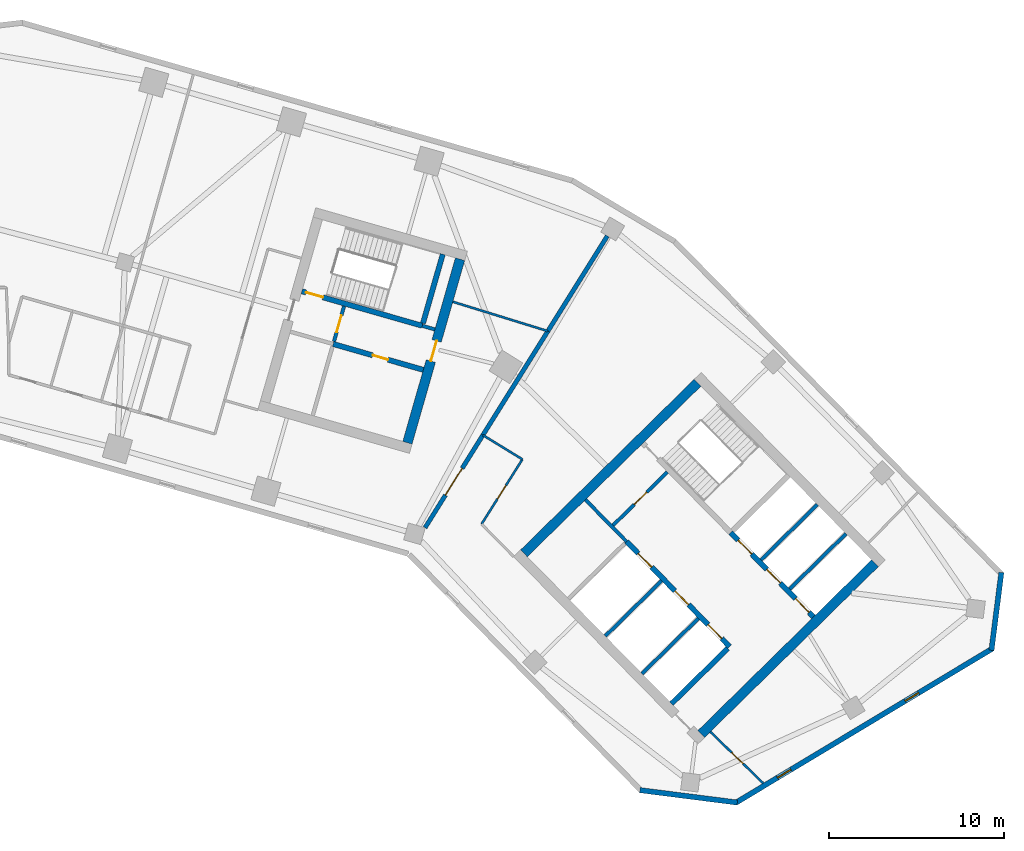
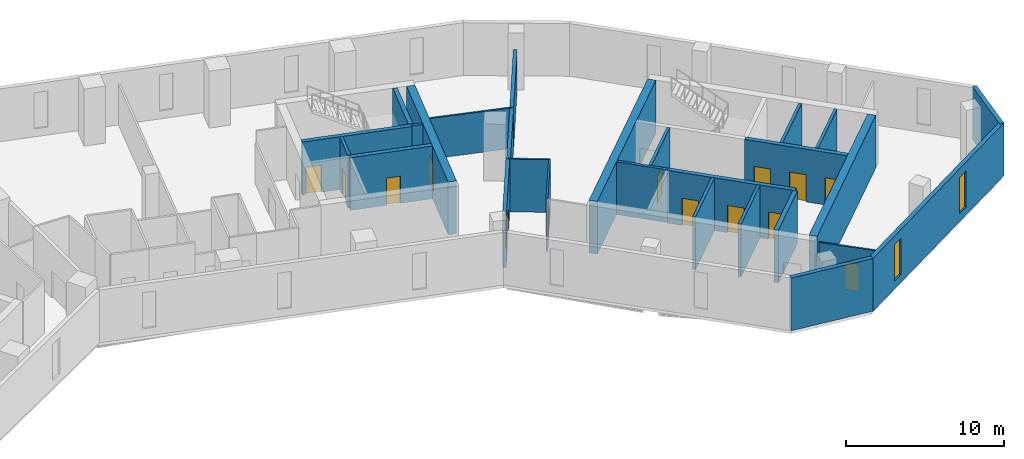
# One storey, part 6 of 10: 27 walls, 14 doors, 2 windows, 16 openings.
"""IFC4 building model written with IfcOpenShell, lengths in metres."""

from ifc_helpers import new_model, si_unit, direction, frame, frame_2d, origin, place, context, subcontext, project, spatial, rectangle, extrude, material, layer, layer_set, type_object, element, fill, save


model = new_model("IFC4")

# Units and contexts
model_context = context("Model", 3, precision=1e-05, world=origin(), true_north=direction((0.0, 1.0)))
body_context = subcontext(model_context, "Body", "Model", "MODEL_VIEW")
ifc_project = project(units=[si_unit("LENGTHUNIT", "METRE"), si_unit("AREAUNIT", "SQUARE_METRE"), si_unit("VOLUMEUNIT", "CUBIC_METRE"), si_unit("PLANEANGLEUNIT", "RADIAN"), si_unit("MASSUNIT", "GRAM", prefix="KILO")], contexts=[model_context])

# Site, building, storey
site_placement = place(None, origin())
site = spatial("IfcSite", under=ifc_project, at=site_placement, CompositionType="ELEMENT")
building_placement = place(site_placement, origin())
building = spatial("IfcBuilding", under=site, at=building_placement, Name="Binnacle Exchange Tower", CompositionType="ELEMENT")
storey_placement = place(building_placement, frame((0.0, 0.0, 136.699951171875)))
storey = spatial("IfcBuildingStorey", under=building, at=storey_placement, Name="L28", CompositionType="ELEMENT", Elevation=136.699951171875)

# Wall, openings, doors
ifc_material_1 = material(Name="Concrete C70/85", Category="concrete")
ifc_layer_1 = layer(ifc_material_1, 0.300048828125)
ifc_layer_set_1 = layer_set([ifc_layer_1], Name="Core wall - front 300")
wall_type_1 = type_object("IfcWallType", Name="Core wall - front 300", PredefinedType="SOLIDWALL", material=ifc_layer_set_1)
wall_1_placement = place(storey_placement, frame((37.8740234375, 41.41552734375, 0.0), z_axis=(0.0, 0.0, 1.0), x_axis=(0.700918271237, -0.71324159795, 0.0)))
wall_1 = element("IfcWall", 1, at=wall_1_placement, inside=storey, type_object=wall_type_1, Name="Core wall CRWB3", PredefinedType="SOLIDWALL", context=body_context, shape_type="SweptSolid", body=[
    extrude(rectangle(XDim=8.39990234375, YDim=0.300048828125, at=frame_2d((4.199951171875, 0.0))), origin(), (0.0, 0.0, 1.0), 4.080078125),
])
opening_1_placement = place(wall_1_placement, frame((0.949951171875, 0.0, 0.0)))
opening_1 = element("IfcOpeningElement", 2, at=opening_1_placement, cuts=wall_1, Name="Opening LD15", PredefinedType="OPENING", context=body_context, shape_type="SweptSolid", body=[
    extrude(rectangle(XDim=1.10009765625, YDim=2.10009765625, at=frame_2d((0.550048828125, 1.050048828125))), frame((0.0, 0.159912109375, 0.0), z_axis=(0.0, -1.0, 0.0), x_axis=(1.0, 0.0, 0.0)), (0.0, 0.0, 1.0), 0.320068359375),
])
opening_2_placement = place(wall_1_placement, frame((3.949951171875, 0.0, 0.0)))
opening_2 = element("IfcOpeningElement", 3, at=opening_2_placement, cuts=wall_1, Name="Opening LD16", PredefinedType="OPENING", context=body_context, shape_type="SweptSolid", body=[
    extrude(rectangle(XDim=1.10009765625, YDim=2.10009765625, at=frame_2d((0.550048828125, 1.050048828125))), frame((0.0, 0.159912109375, 0.0), z_axis=(0.0, -1.0, 0.0), x_axis=(1.0, 0.0, 0.0)), (0.0, 0.0, 1.0), 0.320068359375),
])
opening_3_placement = place(wall_1_placement, frame((6.64990234375, 0.0, 0.0)))
opening_3 = element("IfcOpeningElement", 4, at=opening_3_placement, cuts=wall_1, Name="Opening LD4", PredefinedType="OPENING", context=body_context, shape_type="SweptSolid", body=[
    extrude(rectangle(XDim=1.10009765625, YDim=2.10009765625, at=frame_2d((0.550048828125, 1.050048828125))), frame((0.0, 0.159912109375, 0.0), z_axis=(0.0, -1.0, 0.0), x_axis=(1.0, 0.0, 0.0)), (0.0, 0.0, 1.0), 0.320068359375),
])
ifc_material_2 = material(Name="Steel door leaf", Category="steel")
door_type_1 = type_object("IfcDoorType", Name="Fire door - lift landing 1100", OperationType="NOTDEFINED", PredefinedType="DOOR", material=ifc_material_2)
door_1_placement = place(opening_1_placement, origin())
door_1 = element("IfcDoor", 5, at=door_1_placement, inside=storey, type_object=door_type_1, Name="Landing door LD15 L28", OperationType="DOUBLE_DOOR_SLIDING", OverallHeight=2.10009765625, OverallWidth=1.10009765625, PredefinedType="DOOR", context=body_context, shape_type="SweptSolid", body=[
    extrude(rectangle(XDim=1.10009765625, YDim=2.10009765625, at=frame_2d((0.550048828125, 1.050048828125))), frame((0.0, 0.02490234375, 0.0), z_axis=(0.0, -1.0, 0.0), x_axis=(1.0, 0.0, 0.0)), (0.0, 0.0, 1.0), 0.050048828125),
])
fill(opening_1, door_1)
door_2_placement = place(opening_2_placement, origin())
door_2 = element("IfcDoor", 6, at=door_2_placement, inside=storey, type_object=door_type_1, Name="Landing door LD16 L28", OperationType="DOUBLE_DOOR_SLIDING", OverallHeight=2.10009765625, OverallWidth=1.10009765625, PredefinedType="DOOR", context=body_context, shape_type="SweptSolid", body=[
    extrude(rectangle(XDim=1.10009765625, YDim=2.10009765625, at=frame_2d((0.550048828125, 1.050048828125))), frame((0.0, 0.02490234375, 0.0), z_axis=(0.0, -1.0, 0.0), x_axis=(1.0, 0.0, 0.0)), (0.0, 0.0, 1.0), 0.050048828125),
])
fill(opening_2, door_2)
door_3_placement = place(opening_3_placement, origin())
door_3 = element("IfcDoor", 7, at=door_3_placement, inside=storey, type_object=door_type_1, Name="Landing door LD4 L28", OperationType="DOUBLE_DOOR_SLIDING", OverallHeight=2.10009765625, OverallWidth=1.10009765625, PredefinedType="DOOR", context=body_context, shape_type="SweptSolid", body=[
    extrude(rectangle(XDim=1.10009765625, YDim=2.10009765625, at=frame_2d((0.550048828125, 1.050048828125))), frame((0.0, 0.02490234375, 0.0), z_axis=(0.0, -1.0, 0.0), x_axis=(1.0, 0.0, 0.0)), (0.0, 0.0, 1.0), 0.050048828125),
])
fill(opening_3, door_3)

wall_2_placement = place(storey_placement, frame((43.818603515625, 41.92919921875, 0.0), z_axis=(0.0, 0.0, 1.0), x_axis=(0.700931209592, -0.713228882912, 0.0)))
wall_2 = element("IfcWall", 8, at=wall_2_placement, inside=storey, type_object=wall_type_1, Name="Core wall CRWB5", PredefinedType="SOLIDWALL", context=body_context, shape_type="SweptSolid", body=[
    extrude(rectangle(XDim=6.75, YDim=0.300048828125, at=frame_2d((3.375, 0.0))), origin(), (0.0, 0.0, 1.0), 4.080078125),
])
opening_4_placement = place(wall_2_placement, frame((0.614990234375, 0.0, 0.0)))
opening_4 = element("IfcOpeningElement", 9, at=opening_4_placement, cuts=wall_2, Name="Opening LD1", PredefinedType="OPENING", context=body_context, shape_type="SweptSolid", body=[
    extrude(rectangle(XDim=1.10009765625, YDim=2.10009765625, at=frame_2d((0.550048828125, 1.050048828125))), frame((0.0, 0.159912109375, 0.0), z_axis=(0.0, -1.0, 0.0), x_axis=(1.0, 0.0, 0.0)), (0.0, 0.0, 1.0), 0.320068359375),
])
opening_5_placement = place(wall_2_placement, frame((2.945068359375, 0.0, 0.0)))
opening_5 = element("IfcOpeningElement", 10, at=opening_5_placement, cuts=wall_2, Name="Opening LD2", PredefinedType="OPENING", context=body_context, shape_type="SweptSolid", body=[
    extrude(rectangle(XDim=1.10009765625, YDim=2.10009765625, at=frame_2d((0.550048828125, 1.050048828125))), frame((0.0, 0.159912109375, 0.0), z_axis=(0.0, -1.0, 0.0), x_axis=(1.0, 0.0, 0.0)), (0.0, 0.0, 1.0), 0.320068359375),
])
opening_6_placement = place(wall_2_placement, frame((5.280029296875, 0.0, 0.0)))
opening_6 = element("IfcOpeningElement", 11, at=opening_6_placement, cuts=wall_2, Name="Opening LD3", PredefinedType="OPENING", context=body_context, shape_type="SweptSolid", body=[
    extrude(rectangle(XDim=1.10009765625, YDim=2.10009765625, at=frame_2d((0.550048828125, 1.050048828125))), frame((0.0, 0.159912109375, 0.0), z_axis=(0.0, -1.0, 0.0), x_axis=(1.0, 0.0, 0.0)), (0.0, 0.0, 1.0), 0.320068359375),
])
door_4_placement = place(opening_4_placement, origin())
door_4 = element("IfcDoor", 12, at=door_4_placement, inside=storey, type_object=door_type_1, Name="Landing door LD1 L28", OperationType="DOUBLE_DOOR_SLIDING", OverallHeight=2.10009765625, OverallWidth=1.10009765625, PredefinedType="DOOR", context=body_context, shape_type="SweptSolid", body=[
    extrude(rectangle(XDim=1.10009765625, YDim=2.10009765625, at=frame_2d((0.550048828125, 1.050048828125))), frame((0.0, 0.02490234375, 0.0), z_axis=(0.0, -1.0, 0.0), x_axis=(1.0, 0.0, 0.0)), (0.0, 0.0, 1.0), 0.050048828125),
])
fill(opening_4, door_4)
door_5_placement = place(opening_5_placement, origin())
door_5 = element("IfcDoor", 13, at=door_5_placement, inside=storey, type_object=door_type_1, Name="Landing door LD2 L28", OperationType="DOUBLE_DOOR_SLIDING", OverallHeight=2.10009765625, OverallWidth=1.10009765625, PredefinedType="DOOR", context=body_context, shape_type="SweptSolid", body=[
    extrude(rectangle(XDim=1.10009765625, YDim=2.10009765625, at=frame_2d((0.550048828125, 1.050048828125))), frame((0.0, 0.02490234375, 0.0), z_axis=(0.0, -1.0, 0.0), x_axis=(1.0, 0.0, 0.0)), (0.0, 0.0, 1.0), 0.050048828125),
])
fill(opening_5, door_5)
door_6_placement = place(opening_6_placement, origin())
door_6 = element("IfcDoor", 14, at=door_6_placement, inside=storey, type_object=door_type_1, Name="Landing door LD3 L28", OperationType="DOUBLE_DOOR_SLIDING", OverallHeight=2.10009765625, OverallWidth=1.10009765625, PredefinedType="DOOR", context=body_context, shape_type="SweptSolid", body=[
    extrude(rectangle(XDim=1.10009765625, YDim=2.10009765625, at=frame_2d((0.550048828125, 1.050048828125))), frame((0.0, 0.02490234375, 0.0), z_axis=(0.0, -1.0, 0.0), x_axis=(1.0, 0.0, 0.0)), (0.0, 0.0, 1.0), 0.050048828125),
])
fill(opening_6, door_6)

# Wall
wall_3_placement = place(storey_placement, frame((40.445068359375, 32.1650390625, 0.0), z_axis=(0.0, 0.0, 1.0), x_axis=(0.713264577552, 0.700894886848, 0.0)))
element("IfcWall", 15, at=wall_3_placement, inside=storey, type_object=wall_type_1, Name="Core wall CRWB14", PredefinedType="SOLIDWALL", context=body_context, shape_type="SweptSolid", body=[
    extrude(rectangle(XDim=4.5, YDim=0.300048828125, at=frame_2d((2.25, 0.0))), origin(), (0.0, 0.0, 1.0), 4.080078125),
])

# Wall, opening, door
wall_4_placement = place(storey_placement, frame((21.130859375, 52.6923828125, 0.0), z_axis=(0.0, 0.0, 1.0), x_axis=(0.961265220997, -0.27562506218, 0.0)))
wall_4 = element("IfcWall", 16, at=wall_4_placement, inside=storey, type_object=wall_type_1, Name="Core wall CRWD3", PredefinedType="SOLIDWALL", context=body_context, shape_type="SweptSolid", body=[
    extrude(rectangle(XDim=5.35009765625, YDim=0.300048828125, at=frame_2d((2.675048828125, 0.0))), origin(), (0.0, 0.0, 1.0), 4.080078125),
])
opening_7_placement = place(wall_4_placement, frame((2.35009765625, 0.0, 0.0)))
opening_7 = element("IfcOpeningElement", 17, at=opening_7_placement, cuts=wall_4, Name="Opening DD10", PredefinedType="OPENING", context=body_context, shape_type="SweptSolid", body=[
    extrude(rectangle(XDim=0.89990234375, YDim=2.10009765625, at=frame_2d((0.449951171875, 1.050048828125))), frame((0.0, 0.159912109375, 0.0), z_axis=(0.0, -1.0, 0.0), x_axis=(1.0, 0.0, 0.0)), (0.0, 0.0, 1.0), 0.320068359375),
])
door_type_2 = type_object("IfcDoorType", Name="Fire door 900", OperationType="NOTDEFINED", PredefinedType="DOOR", material=ifc_material_2)
door_7_placement = place(opening_7_placement, frame((0.89990234375, 0.0, 0.0), z_axis=(0.0, 0.0, 1.0), x_axis=(-1.0, 0.0, 0.0)))
door_7 = element("IfcDoor", 18, at=door_7_placement, inside=storey, type_object=door_type_2, Name="Core room door TELECOM RISER ROOM", OperationType="SINGLE_SWING_LEFT", OverallHeight=2.10009765625, OverallWidth=0.89990234375, PredefinedType="DOOR", context=body_context, shape_type="SweptSolid", body=[
    extrude(rectangle(XDim=0.89990234375, YDim=2.10009765625, at=frame_2d((0.449951171875, 1.050048828125))), frame((0.0, 0.02490234375, 0.0), z_axis=(0.0, -1.0, 0.0), x_axis=(1.0, 0.0, 0.0)), (0.0, 0.0, 1.0), 0.050048828125),
])
fill(opening_7, door_7)

# Walls
ifc_layer_2 = layer(ifc_material_1, 0.550048828125)
ifc_layer_set_2 = layer_set([ifc_layer_2], Name="Core wall - outer 550")
wall_type_2 = type_object("IfcWallType", Name="Core wall - outer 550", PredefinedType="SOLIDWALL", material=ifc_layer_set_2)
for number, where, z_axis, x_axis, name in (
    (19, (32.0166015625, 40.74169921875, 0.0), (0.0, 0.0, 1.0), (0.713253550094, 0.700906108746, 0.0), "Core wall CRWB7"),
    (20, (42.144775390625, 30.435302734375, 0.0), (0.0, 0.0, 1.0), (0.713253550094, 0.700906108746, 0.0), "Core wall CRWB16"),
):
    element("IfcWall", number, at=place(storey_placement, frame(where, z_axis=z_axis, x_axis=x_axis)), inside=storey, type_object=wall_type_2, Name=name, PredefinedType="SOLIDWALL", context=body_context, shape_type="SweptSolid", body=[
        extrude(rectangle(XDim=13.900146484375, YDim=0.550048828125, at=frame_2d((6.9501953125, 0.0))), origin(), (0.0, 0.0, 1.0), 4.080078125),
    ])

# Wall, opening, door
wall_5_placement = place(storey_placement, frame((25.366455078125, 47.056640625, 0.0), z_axis=(0.0, 0.0, 1.0), x_axis=(0.275632146085, 0.96126318979, 0.0)))
wall_5 = element("IfcWall", 21, at=wall_5_placement, inside=storey, type_object=wall_type_2, Name="Core wall CRWD12", PredefinedType="SOLIDWALL", context=body_context, shape_type="SweptSolid", body=[
    extrude(rectangle(XDim=10.89990234375, YDim=0.550048828125, at=frame_2d((5.449951171875, 0.0))), origin(), (0.0, 0.0, 1.0), 4.080078125),
])
opening_8_placement = place(wall_5_placement, frame((4.849853515625, 0.0, 0.0)))
opening_8 = element("IfcOpeningElement", 22, at=opening_8_placement, cuts=wall_5, Name="Opening DD6", PredefinedType="OPENING", context=body_context, shape_type="SweptSolid", body=[
    extrude(rectangle(XDim=1.199951171875, YDim=2.10009765625, at=frame_2d((0.60009765625, 1.050048828125))), frame((0.0, 0.284912109375, 0.0), z_axis=(0.0, -1.0, 0.0), x_axis=(1.0, 0.0, 0.0)), (0.0, 0.0, 1.0), 0.570068359375),
])
door_type_3 = type_object("IfcDoorType", Name="Fire door 1200", OperationType="NOTDEFINED", PredefinedType="DOOR", material=ifc_material_2)
door_8_placement = place(opening_8_placement, frame((1.199951171875, 0.0, 0.0), z_axis=(0.0, 0.0, 1.0), x_axis=(-1.0, 0.0, 0.0)))
door_8 = element("IfcDoor", 23, at=door_8_placement, inside=storey, type_object=door_type_3, Name="Core passage exit door", OperationType="SINGLE_SWING_RIGHT", OverallHeight=2.10009765625, OverallWidth=1.199951171875, PredefinedType="DOOR", context=body_context, shape_type="SweptSolid", body=[
    extrude(rectangle(XDim=1.199951171875, YDim=2.10009765625, at=frame_2d((0.60009765625, 1.050048828125))), frame((0.0, 0.02490234375, 0.0), z_axis=(0.0, -1.0, 0.0), x_axis=(1.0, 0.0, 0.0)), (0.0, 0.0, 1.0), 0.050048828125),
])
fill(opening_8, door_8)

ifc_layer_3 = layer(ifc_material_1, 0.300048828125)
ifc_layer_set_3 = layer_set([ifc_layer_3], Name="Core wall - stair 300")
wall_type_3 = type_object("IfcWallType", Name="Core wall - stair 300", PredefinedType="SOLIDWALL", material=ifc_layer_set_3)
wall_6_placement = place(storey_placement, frame((19.34130859375, 55.702392578125, 0.0), z_axis=(0.0, 0.0, 1.0), x_axis=(0.961263228157, -0.27563201228, 0.0)))
wall_6 = element("IfcWall", 24, at=wall_6_placement, inside=storey, type_object=wall_type_3, Name="Core wall CRWD4", PredefinedType="SOLIDWALL", context=body_context, shape_type="SweptSolid", body=[
    extrude(rectangle(XDim=7.149658203125, YDim=0.300048828125, at=frame_2d((3.57470703125, 0.0))), origin(), (0.0, 0.0, 1.0), 4.080078125),
])
opening_9_placement = place(wall_6_placement, frame((0.25, 0.0, 0.0)))
opening_9 = element("IfcOpeningElement", 25, at=opening_9_placement, cuts=wall_6, Name="Opening DD1", PredefinedType="OPENING", context=body_context, shape_type="SweptSolid", body=[
    extrude(rectangle(XDim=1.0, YDim=2.10009765625, at=frame_2d((0.5, 1.050048828125))), frame((0.0, 0.159912109375, 0.0), z_axis=(0.0, -1.0, 0.0), x_axis=(1.0, 0.0, 0.0)), (0.0, 0.0, 1.0), 0.320068359375),
])
door_type_4 = type_object("IfcDoorType", Name="Fire door 1000", OperationType="NOTDEFINED", PredefinedType="DOOR", material=ifc_material_2)
door_9_placement = place(opening_9_placement, origin())
door_9 = element("IfcDoor", 26, at=door_9_placement, inside=storey, type_object=door_type_4, Name="Stair door ST-D1", OperationType="SINGLE_SWING_LEFT", OverallHeight=2.10009765625, OverallWidth=1.0, PredefinedType="DOOR", context=body_context, shape_type="SweptSolid", body=[
    extrude(rectangle(XDim=1.0, YDim=2.10009765625, at=frame_2d((0.5, 1.050048828125))), frame((0.0, 0.02490234375, 0.0), z_axis=(0.0, -1.0, 0.0), x_axis=(1.0, 0.0, 0.0)), (0.0, 0.0, 1.0), 0.050048828125),
])
fill(opening_9, door_9)

# Walls
wall_7_placement = place(storey_placement, frame((26.255615234375, 53.875732421875, 0.0), z_axis=(0.0, 0.0, 1.0), x_axis=(0.275641165445, 0.961260603537, 0.0)))
element("IfcWall", 27, at=wall_7_placement, inside=storey, type_object=wall_type_3, Name="Core wall CRWD11", PredefinedType="SOLIDWALL", context=body_context, shape_type="SweptSolid", body=[
    extrude(rectangle(XDim=4.10009765625, YDim=0.300048828125, at=frame_2d((2.050048828125, 0.0))), origin(), (0.0, 0.0, 1.0), 4.080078125),
])
ifc_material_3 = material(Name="Bronze aluminium cladding", Category="aluminium")
ifc_layer_4 = layer(ifc_material_3, 0.300048828125)
ifc_layer_set_4 = layer_set([ifc_layer_4], Name="External wall - spandrel 300")
wall_type_4 = type_object("IfcWallType", Name="External wall - spandrel 300", PredefinedType="STANDARD", material=ifc_layer_set_4)
wall_8_placement = place(storey_placement, frame((44.19580078125, 26.517822265625, 0.0), z_axis=(0.0, 0.0, 1.0), x_axis=(-0.992001881269, 0.126223086474, 0.0)))
element("IfcWall", 28, at=wall_8_placement, inside=storey, type_object=wall_type_4, Name="External wall EW-F10 L28", PredefinedType="STANDARD", context=body_context, shape_type="SweptSolid", body=[
    extrude(rectangle(XDim=5.6015625, YDim=0.300048828125, at=frame_2d((2.80078125, 0.0))), origin(), (0.0, 0.0, 1.0), 4.080078125),
])

# Wall, openings, windows
wall_9_placement = place(storey_placement, frame((58.7783203125, 35.317626953125, 0.0), z_axis=(0.0, 0.0, 1.0), x_axis=(-0.857168206138, -0.515036568009, 0.0)))
wall_9 = element("IfcWall", 29, at=wall_9_placement, inside=storey, type_object=wall_type_4, Name="External wall EW-F11 L28", PredefinedType="STANDARD", context=body_context, shape_type="SweptSolid", body=[
    extrude(rectangle(XDim=17.124755859375, YDim=0.300048828125, at=frame_2d((8.5625, 0.0))), origin(), (0.0, 0.0, 1.0), 4.080078125),
])
opening_10_placement = place(wall_9_placement, frame((13.435302734375, 0.0, 0.60009765625)))
opening_10 = element("IfcOpeningElement", 30, at=opening_10_placement, cuts=wall_9, Name="Opening WS2", PredefinedType="OPENING", context=body_context, shape_type="SweptSolid", body=[
    extrude(rectangle(XDim=0.89990234375, YDim=2.800048828125, at=frame_2d((0.449951171875, 1.39990234375))), frame((0.0, 0.159912109375, 0.0), z_axis=(0.0, -1.0, 0.0), x_axis=(1.0, 0.0, 0.0)), (0.0, 0.0, 1.0), 0.320068359375),
])
opening_11_placement = place(wall_9_placement, frame((4.935302734375, 0.0, 0.60009765625)))
opening_11 = element("IfcOpeningElement", 31, at=opening_11_placement, cuts=wall_9, Name="Opening WS2", PredefinedType="OPENING", context=body_context, shape_type="SweptSolid", body=[
    extrude(rectangle(XDim=0.89990234375, YDim=2.800048828125, at=frame_2d((0.449951171875, 1.39990234375))), frame((0.0, 0.159912109375, 0.0), z_axis=(0.0, -1.0, 0.0), x_axis=(1.0, 0.0, 0.0)), (0.0, 0.0, 1.0), 0.320068359375),
])
ifc_material_4 = material(Name="Bronze anodised aluminium frame", Category="aluminium")
window_type = type_object("IfcWindowType", Name="WS2 WINDOW 900x2800", PartitioningType="SINGLE_PANEL", PredefinedType="WINDOW", material=ifc_material_4)
window_1_placement = place(opening_10_placement, origin())
window_1 = element("IfcWindow", 32, at=window_1_placement, inside=storey, type_object=window_type, Name="Window WS2 L28", OverallHeight=2.800048828125, OverallWidth=0.89990234375, PartitioningType="SINGLE_PANEL", PredefinedType="WINDOW", context=body_context, shape_type="SweptSolid", body=[
    extrude(rectangle(XDim=0.89990234375, YDim=2.800048828125, at=frame_2d((0.449951171875, 1.39990234375))), frame((0.0, 0.030029296875, 0.0), z_axis=(0.0, -1.0, 0.0), x_axis=(1.0, 0.0, 0.0)), (0.0, 0.0, 1.0), 0.06005859375),
])
fill(opening_10, window_1)
window_2_placement = place(opening_11_placement, origin())
window_2 = element("IfcWindow", 33, at=window_2_placement, inside=storey, type_object=window_type, Name="Window WS2 L28", OverallHeight=2.800048828125, OverallWidth=0.89990234375, PartitioningType="SINGLE_PANEL", PredefinedType="WINDOW", context=body_context, shape_type="SweptSolid", body=[
    extrude(rectangle(XDim=0.89990234375, YDim=2.800048828125, at=frame_2d((0.449951171875, 1.39990234375))), frame((0.0, 0.030029296875, 0.0), z_axis=(0.0, -1.0, 0.0), x_axis=(1.0, 0.0, 0.0)), (0.0, 0.0, 1.0), 0.06005859375),
])
fill(opening_11, window_2)

# Wall
wall_10_placement = place(storey_placement, frame((59.27197265625, 39.6513671875, 0.0), z_axis=(0.0, 0.0, 1.0), x_axis=(-0.126181137886, -0.992007217938, 0.0)))
element("IfcWall", 34, at=wall_10_placement, inside=storey, type_object=wall_type_4, Name="External wall EW-F12 L28", PredefinedType="STANDARD", context=body_context, shape_type="SweptSolid", body=[
    extrude(rectangle(XDim=4.479248046875, YDim=0.300048828125, at=frame_2d((2.23974609375, 0.0))), origin(), (0.0, 0.0, 1.0), 4.080078125),
])

# Wall, opening, door
ifc_material_5 = material(Name="Concrete fire wall C30/37", Category="concrete")
ifc_layer_5 = layer(ifc_material_5, 0.25)
ifc_layer_set_5 = layer_set([ifc_layer_5], Name="Fire wall - compartment 250")
wall_type_5 = type_object("IfcWallType", Name="Fire wall - compartment 250", PredefinedType="PARTITIONING", material=ifc_layer_set_5)
wall_11_placement = place(storey_placement, frame((26.373046875, 42.2060546875, 0.0), z_axis=(0.0, 0.0, 1.0), x_axis=(0.52987567935, 0.848075329457, 0.0)))
wall_11 = element("IfcWall", 35, at=wall_11_placement, inside=storey, type_object=wall_type_5, Name="Fire Wall W33", PredefinedType="PARTITIONING", context=body_context, shape_type="SweptSolid", body=[
    extrude(rectangle(XDim=6.231689453125, YDim=0.25, at=frame_2d((3.11572265625, 0.0))), origin(), (0.0, 0.0, 1.0), 4.080078125),
])
opening_12_placement = place(wall_11_placement, frame((2.199951171875, 0.0, 0.0)))
opening_12 = element("IfcOpeningElement", 36, at=opening_12_placement, cuts=wall_11, Name="Opening DL28-12", PredefinedType="OPENING", context=body_context, shape_type="SweptSolid", body=[
    extrude(rectangle(XDim=1.800048828125, YDim=2.10009765625, at=frame_2d((0.89990234375, 1.050048828125))), frame((0.0, 0.135009765625, 0.0), z_axis=(0.0, -1.0, 0.0), x_axis=(1.0, 0.0, 0.0)), (0.0, 0.0, 1.0), 0.27001953125),
])
door_type_5 = type_object("IfcDoorType", Name="Fire door 1800", OperationType="NOTDEFINED", PredefinedType="DOOR", material=ifc_material_2)
door_10_placement = place(opening_12_placement, origin())
door_10 = element("IfcDoor", 37, at=door_10_placement, inside=storey, type_object=door_type_5, Name="Door DL28-12", OperationType="DOUBLE_DOOR_SINGLE_SWING", OverallHeight=2.10009765625, OverallWidth=1.800048828125, PredefinedType="DOOR", context=body_context, shape_type="SweptSolid", body=[
    extrude(rectangle(XDim=1.800048828125, YDim=2.10009765625, at=frame_2d((0.89990234375, 1.050048828125))), frame((0.0, 0.02490234375, 0.0), z_axis=(0.0, -1.0, 0.0), x_axis=(1.0, 0.0, 0.0)), (0.0, 0.0, 1.0), 0.050048828125),
])
fill(opening_12, door_10)

# Walls
wall_12_placement = place(storey_placement, frame((29.675048828125, 47.490966796875, 0.0), z_axis=(0.0, 0.0, 1.0), x_axis=(0.529992669945, 0.848002222759, 0.0)))
element("IfcWall", 38, at=wall_12_placement, inside=storey, type_object=wall_type_5, Name="Fire Wall W38", PredefinedType="PARTITIONING", context=body_context, shape_type="SweptSolid", body=[
    extrude(rectangle(XDim=7.0, YDim=0.25, at=frame_2d((3.5, 0.0))), origin(), (0.0, 0.0, 1.0), 3.14208984375),
])
wall_13_placement = place(storey_placement, frame((33.385009765625, 53.427001953125, 0.0), z_axis=(0.0, 0.0, 1.0), x_axis=(0.52989620904, 0.848062502204, 0.0)))
element("IfcWall", 39, at=wall_13_placement, inside=storey, type_object=wall_type_5, Name="Fire Wall W39", PredefinedType="PARTITIONING", context=body_context, shape_type="SweptSolid", body=[
    extrude(rectangle(XDim=6.40869140625, YDim=0.25, at=frame_2d((3.204345703125, 0.0))), origin(), (0.0, 0.0, 1.0), 3.14208984375),
])

# Wall, opening, door
ifc_material_6 = material(Name="Masonry block wall", Category="masonry")
ifc_layer_6 = layer(ifc_material_6, 0.199951171875)
ifc_layer_set_6 = layer_set([ifc_layer_6], Name="Fire wall - vestibule 200")
wall_type_6 = type_object("IfcWallType", Name="Fire wall - vestibule 200", PredefinedType="PARTITIONING", material=ifc_layer_set_6)
wall_14_placement = place(storey_placement, frame((37.104248046875, 42.341552734375, 0.0), z_axis=(0.0, 0.0, 1.0), x_axis=(0.713281298468, 0.700877870428, 0.0)))
wall_14 = element("IfcWall", 40, at=wall_14_placement, inside=storey, type_object=wall_type_6, Name="Core wall CRWB8", PredefinedType="PARTITIONING", context=body_context, shape_type="SweptSolid", body=[
    extrude(rectangle(XDim=4.35009765625, YDim=0.199951171875, at=frame_2d((2.175048828125, 0.0))), origin(), (0.0, 0.0, 1.0), 4.080078125),
])
opening_13_placement = place(wall_14_placement, frame((1.699951171875, 0.0, 0.0)))
opening_13 = element("IfcOpeningElement", 41, at=opening_13_placement, cuts=wall_14, Name="Opening DB3", PredefinedType="OPENING", context=body_context, shape_type="SweptSolid", body=[
    extrude(rectangle(XDim=1.0, YDim=2.10009765625, at=frame_2d((0.5, 1.050048828125))), frame((0.0, 0.10986328125, 0.0), z_axis=(0.0, -1.0, 0.0), x_axis=(1.0, 0.0, 0.0)), (0.0, 0.0, 1.0), 0.219970703125),
])
door_11_placement = place(opening_13_placement, origin())
door_11 = element("IfcDoor", 42, at=door_11_placement, inside=storey, type_object=door_type_4, Name="Vestibule door VEST-W", OperationType="SINGLE_SWING_RIGHT", OverallHeight=2.10009765625, OverallWidth=1.0, PredefinedType="DOOR", context=body_context, shape_type="SweptSolid", body=[
    extrude(rectangle(XDim=1.0, YDim=2.10009765625, at=frame_2d((0.5, 1.050048828125))), frame((0.0, 0.02490234375, 0.0), z_axis=(0.0, -1.0, 0.0), x_axis=(1.0, 0.0, 0.0)), (0.0, 0.0, 1.0), 0.050048828125),
])
fill(opening_13, door_11)

wall_15_placement = place(storey_placement, frame((21.172119140625, 52.836669921875, 0.0), z_axis=(0.0, 0.0, 1.0), x_axis=(0.275657676022, 0.961255868981, 0.0)))
wall_15 = element("IfcWall", 43, at=wall_15_placement, inside=storey, type_object=wall_type_6, Name="Core wall CRWD9", PredefinedType="PARTITIONING", context=body_context, shape_type="SweptSolid", body=[
    extrude(rectangle(XDim=2.099853515625, YDim=0.199951171875, at=frame_2d((1.0498046875, 0.0))), origin(), (0.0, 0.0, 1.0), 4.080078125),
])
opening_14_placement = place(wall_15_placement, frame((0.550048828125, 0.0, 0.0)))
opening_14 = element("IfcOpeningElement", 44, at=opening_14_placement, cuts=wall_15, Name="Opening DD3", PredefinedType="OPENING", context=body_context, shape_type="SweptSolid", body=[
    extrude(rectangle(XDim=1.0, YDim=2.10009765625, at=frame_2d((0.5, 1.050048828125))), frame((0.0, 0.10986328125, 0.0), z_axis=(0.0, -1.0, 0.0), x_axis=(1.0, 0.0, 0.0)), (0.0, 0.0, 1.0), 0.219970703125),
])
door_12_placement = place(opening_14_placement, origin())
door_12 = element("IfcDoor", 45, at=door_12_placement, inside=storey, type_object=door_type_4, Name="Vestibule door VEST-W", OperationType="SINGLE_SWING_RIGHT", OverallHeight=2.10009765625, OverallWidth=1.0, PredefinedType="DOOR", context=body_context, shape_type="SweptSolid", body=[
    extrude(rectangle(XDim=1.0, YDim=2.10009765625, at=frame_2d((0.5, 1.050048828125))), frame((0.0, 0.02490234375, 0.0), z_axis=(0.0, -1.0, 0.0), x_axis=(1.0, 0.0, 0.0)), (0.0, 0.0, 1.0), 0.050048828125),
])
fill(opening_14, door_12)

# Wall
ifc_material_7 = material(Name="Gypsum partition")
ifc_layer_7 = layer(ifc_material_7, 0.125)
ifc_layer_set_7 = layer_set([ifc_layer_7], Name="Partition 125")
wall_type_7 = type_object("IfcWallType", Name="Partition 125", PredefinedType="PARTITIONING", material=ifc_layer_set_7)
wall_16_placement = place(storey_placement, frame((27.9599609375, 55.10302734375, 0.0), z_axis=(0.0, 0.0, 1.0), x_axis=(0.955442775069, -0.29517639399, 0.0)))
element("IfcWall", 46, at=wall_16_placement, inside=storey, type_object=wall_type_7, Name="Partition W34", PredefinedType="PARTITIONING", context=body_context, shape_type="SweptSolid", body=[
    extrude(rectangle(XDim=5.677978515625, YDim=0.125, at=frame_2d((2.8388671875, 0.0))), origin(), (0.0, 0.0, 1.0), 3.14208984375),
])

# Wall, opening, door
wall_17_placement = place(storey_placement, frame((29.60009765625, 42.416015625, 0.0), z_axis=(0.0, 0.0, 1.0), x_axis=(0.533582711531, 0.84574788794, 0.0)))
wall_17 = element("IfcWall", 47, at=wall_17_placement, inside=storey, type_object=wall_type_7, Name="Partition W36", PredefinedType="PARTITIONING", context=body_context, shape_type="SweptSolid", body=[
    extrude(rectangle(XDim=4.366455078125, YDim=0.125, at=frame_2d((2.18310546875, 0.0))), origin(), (0.0, 0.0, 1.0), 4.080078125),
])
opening_15_placement = place(wall_17_placement, frame((1.699951171875, 0.0, 0.0)))
opening_15 = element("IfcOpeningElement", 48, at=opening_15_placement, cuts=wall_17, Name="Opening DL28-09", PredefinedType="OPENING", context=body_context, shape_type="SweptSolid", body=[
    extrude(rectangle(XDim=0.89990234375, YDim=2.10009765625, at=frame_2d((0.449951171875, 1.050048828125))), frame((0.0, 0.072509765625, 0.0), z_axis=(0.0, -1.0, 0.0), x_axis=(1.0, 0.0, 0.0)), (0.0, 0.0, 1.0), 0.14501953125),
])
ifc_material_8 = material(Name="Timber door leaf", Category="wood")
door_type_6 = type_object("IfcDoorType", Name="Door 900", OperationType="NOTDEFINED", PredefinedType="DOOR", material=ifc_material_8)
door_13_placement = place(opening_15_placement, frame((0.89990234375, 0.0, 0.0), z_axis=(0.0, 0.0, 1.0), x_axis=(-1.0, 0.0, 0.0)))
door_13 = element("IfcDoor", 49, at=door_13_placement, inside=storey, type_object=door_type_6, Name="Door DL28-09", OperationType="SINGLE_SWING_RIGHT", OverallHeight=2.10009765625, OverallWidth=0.89990234375, PredefinedType="DOOR", context=body_context, shape_type="SweptSolid", body=[
    extrude(rectangle(XDim=0.89990234375, YDim=2.10009765625, at=frame_2d((0.449951171875, 1.050048828125))), frame((0.0, 0.02490234375, 0.0), z_axis=(0.0, -1.0, 0.0), x_axis=(1.0, 0.0, 0.0)), (0.0, 0.0, 1.0), 0.050048828125),
])
fill(opening_15, door_13)

# Wall
wall_18_placement = place(storey_placement, frame((29.675048828125, 47.490966796875, 0.0), z_axis=(0.0, 0.0, 1.0), x_axis=(0.852591965232, -0.522577210392, 0.0)))
element("IfcWall", 50, at=wall_18_placement, inside=storey, type_object=wall_type_7, Name="Partition W37", PredefinedType="PARTITIONING", context=body_context, shape_type="SweptSolid", body=[
    extrude(rectangle(XDim=2.644775390625, YDim=0.125, at=frame_2d((1.322265625, 0.0))), origin(), (0.0, 0.0, 1.0), 4.080078125),
])

# Wall, opening, door
wall_19_placement = place(storey_placement, frame((42.658935546875, 30.554931640625, 0.0), z_axis=(0.0, 0.0, 1.0), x_axis=(0.716925671772, -0.697149611743, 0.0)))
wall_19 = element("IfcWall", 51, at=wall_19_placement, inside=storey, type_object=wall_type_7, Name="Partition W40", PredefinedType="PARTITIONING", context=body_context, shape_type="SweptSolid", body=[
    extrude(rectangle(XDim=4.209716796875, YDim=0.125, at=frame_2d((2.10498046875, 0.0))), origin(), (0.0, 0.0, 1.0), 3.35205078125),
])
opening_16_placement = place(wall_19_placement, frame((1.699951171875, 0.0, 0.0)))
opening_16 = element("IfcOpeningElement", 52, at=opening_16_placement, cuts=wall_19, Name="Opening DL28-10", PredefinedType="OPENING", context=body_context, shape_type="SweptSolid", body=[
    extrude(rectangle(XDim=0.89990234375, YDim=2.10009765625, at=frame_2d((0.449951171875, 1.050048828125))), frame((0.0, 0.072509765625, 0.0), z_axis=(0.0, -1.0, 0.0), x_axis=(1.0, 0.0, 0.0)), (0.0, 0.0, 1.0), 0.14501953125),
])
door_14_placement = place(opening_16_placement, origin())
door_14 = element("IfcDoor", 53, at=door_14_placement, inside=storey, type_object=door_type_6, Name="Door DL28-10", OperationType="SINGLE_SWING_RIGHT", OverallHeight=2.10009765625, OverallWidth=0.89990234375, PredefinedType="DOOR", context=body_context, shape_type="SweptSolid", body=[
    extrude(rectangle(XDim=0.89990234375, YDim=2.10009765625, at=frame_2d((0.449951171875, 1.050048828125))), frame((0.0, 0.02490234375, 0.0), z_axis=(0.0, -1.0, 0.0), x_axis=(1.0, 0.0, 0.0)), (0.0, 0.0, 1.0), 0.050048828125),
])
fill(opening_16, door_14)

# Walls
ifc_layer_8 = layer(ifc_material_6, 0.199951171875)
ifc_layer_set_8 = layer_set([ifc_layer_8], Name="Riser wall 200")
wall_type_8 = type_object("IfcWallType", Name="Riser wall 200", PredefinedType="SOLIDWALL", material=ifc_layer_set_8)
wall_20_placement = place(storey_placement, frame((35.526123046875, 43.804931640625, 0.0), z_axis=(0.0, 0.0, 1.0), x_axis=(0.700884863746, -0.713274426691, 0.0)))
element("IfcWall", 54, at=wall_20_placement, inside=storey, type_object=wall_type_8, Name="Core wall CRWB2", PredefinedType="SOLIDWALL", context=body_context, shape_type="SweptSolid", body=[
    extrude(rectangle(XDim=3.349853515625, YDim=0.199951171875, at=frame_2d((1.6748046875, 0.0))), origin(), (0.0, 0.0, 1.0), 4.080078125),
])
wall_21_placement = place(storey_placement, frame((26.214111328125, 53.731689453125, 0.0), z_axis=(0.0, 0.0, 1.0), x_axis=(0.961240918172, -0.275709806194, 0.0)))
element("IfcWall", 55, at=wall_21_placement, inside=storey, type_object=wall_type_8, Name="Core wall CRWD5", PredefinedType="SOLIDWALL", context=body_context, shape_type="SweptSolid", body=[
    extrude(rectangle(XDim=0.75, YDim=0.199951171875, at=frame_2d((0.375, 0.0))), origin(), (0.0, 0.0, 1.0), 4.080078125),
])
ifc_layer_9 = layer(ifc_material_6, 0.199951171875)
ifc_layer_set_9 = layer_set([ifc_layer_9], Name="Shaft wall 200")
wall_type_9 = type_object("IfcWallType", Name="Shaft wall 200", PredefinedType="SOLIDWALL", material=ifc_layer_set_9)
wall_22_placement = place(storey_placement, frame((36.66015625, 36.0166015625, 0.0), z_axis=(0.0, 0.0, 1.0), x_axis=(0.713264577552, 0.700894886848, 0.0)))
element("IfcWall", 56, at=wall_22_placement, inside=storey, type_object=wall_type_9, Name="Core wall CRWB10", PredefinedType="SOLIDWALL", context=body_context, shape_type="SweptSolid", body=[
    extrude(rectangle(XDim=4.5, YDim=0.199951171875, at=frame_2d((2.25, 0.0))), origin(), (0.0, 0.0, 1.0), 4.080078125),
])
wall_23_placement = place(storey_placement, frame((38.762939453125, 33.876708984375, 0.0), z_axis=(0.0, 0.0, 1.0), x_axis=(0.713237455685, 0.700922486305, 0.0)))
element("IfcWall", 57, at=wall_23_placement, inside=storey, type_object=wall_type_9, Name="Core wall CRWB12", PredefinedType="SOLIDWALL", context=body_context, shape_type="SweptSolid", body=[
    extrude(rectangle(XDim=4.500244140625, YDim=0.199951171875, at=frame_2d((2.25, 0.0))), origin(), (0.0, 0.0, 1.0), 4.080078125),
])
for number, where, z_axis, x_axis, name in (
    (58, (45.55859375, 40.37255859375, 0.0), (0.0, 0.0, 1.0), (0.713264577552, 0.700894886848, 0.0), "Core wall CRWB13"),
    (59, (47.191650390625, 38.710693359375, 0.0), (0.0, 0.0, 1.0), (0.713264577552, 0.700894886848, 0.0), "Core wall CRWB15"),
):
    element("IfcWall", number, at=place(storey_placement, frame(where, z_axis=z_axis, x_axis=x_axis)), inside=storey, type_object=wall_type_9, Name=name, PredefinedType="SOLIDWALL", context=body_context, shape_type="SweptSolid", body=[
        extrude(rectangle(XDim=4.5, YDim=0.199951171875, at=frame_2d((2.25, 0.0))), origin(), (0.0, 0.0, 1.0), 4.080078125),
    ])

save(model, "model.ifc")
